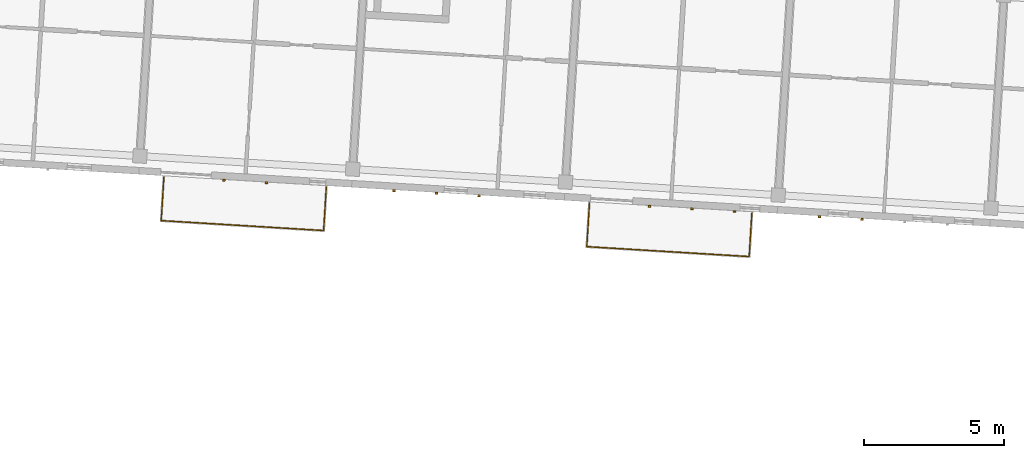
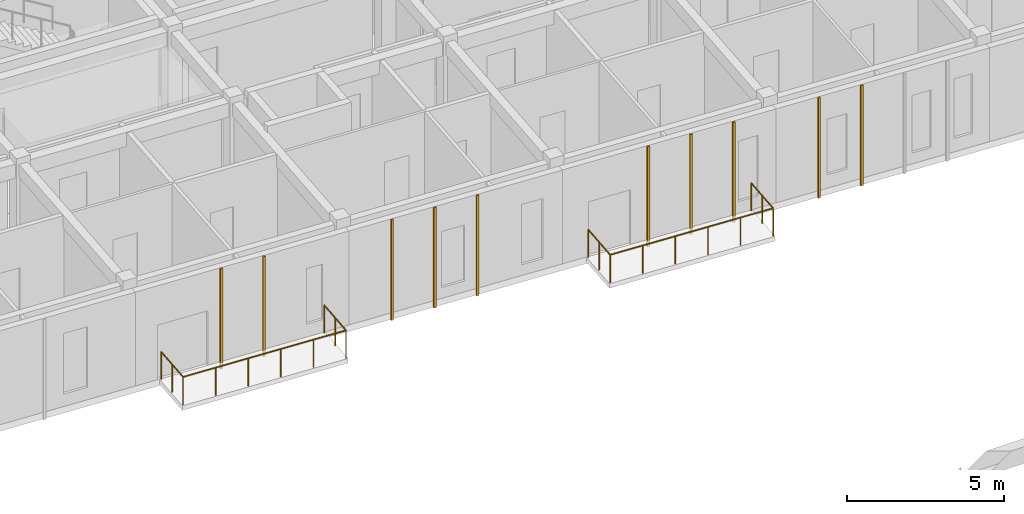
# One storey, part 115 of 150: 10 coverings, 2 railings.
"""IFC4 building model written with IfcOpenShell, lengths in metres."""

from ifc_helpers import new_model, si_unit, direction, frame, origin, origin_2d, place, context, subcontext, project, spatial, rectangle, circle, extrude, material, layer, layer_set, type_object, element, save


model = new_model("IFC4")

# Units and contexts
model_context = context("Model", 3, precision=1e-05, world=origin(), true_north=direction((0.0, 1.0)))
body_context = subcontext(model_context, "Body", "Model", "MODEL_VIEW")
ifc_project = project(units=[si_unit("LENGTHUNIT", "METRE"), si_unit("AREAUNIT", "SQUARE_METRE"), si_unit("VOLUMEUNIT", "CUBIC_METRE"), si_unit("PLANEANGLEUNIT", "RADIAN"), si_unit("MASSUNIT", "GRAM", prefix="KILO")], contexts=[model_context])

# Site, building, storey
site_placement = place(None, origin())
site = spatial("IfcSite", under=ifc_project, at=site_placement, CompositionType="ELEMENT")
building_placement = place(site_placement, origin())
building = spatial("IfcBuilding", under=site, at=building_placement, Name="Kestramere Prow Commons", CompositionType="ELEMENT")
storey_placement = place(building_placement, frame((0.0, 0.0, 4.5)))
storey = spatial("IfcBuildingStorey", under=building, at=storey_placement, Name="L01", CompositionType="ELEMENT", Elevation=4.5)

# Coverings
ifc_material_1 = material(Name="Weathered Zinc-Titanium Standing-Seam Cladding")
ifc_layer = layer(ifc_material_1, 0.074951171875)
ifc_layer_set = layer_set([ifc_layer], Name="Weathered Zinc-Titanium Standing-Seam Cladding")
covering_type = type_object("IfcCoveringType", Name="COV-CLAD-SEAM", PredefinedType="CLADDING", material=ifc_layer_set)
for number, where, z_axis, x_axis, name in (
    (1, (71.595947265625, 45.081298828125, -0.25), (0.0, 0.0, 1.0), (-0.998134798422, 0.061048539535, 0.0), "EW-C-L01-S-1 Standing-Seam Rib 2"),
    (2, (70.078857421875, 45.17431640625, -0.25), (0.0, 0.0, 1.0), (-0.998134798422, 0.061048539535, 0.0), "EW-C-L01-S-1 Standing-Seam Rib 3"),
    (3, (79.181884765625, 44.617431640625, -0.25), (0.0, 0.0, 1.0), (-0.998134798422, 0.061048539535, 0.0), "EW-C-L01-S-2 Standing-Seam Rib 2"),
    (4, (77.66455078125, 44.710205078125, -0.25), (0.0, 0.0, 1.0), (-0.998134798422, 0.061048539535, 0.0), "EW-C-L01-S-2 Standing-Seam Rib 3"),
    (5, (76.1474609375, 44.802978515625, -0.25), (0.0, 0.0, 1.0), (-0.998134798422, 0.061048539535, 0.0), "EW-C-L01-S-2 Standing-Seam Rib 4"),
    (6, (88.28466796875, 44.060791015625, -0.25), (0.0, 0.0, 1.0), (-0.998134798422, 0.061048539535, 0.0), "EW-C-L01-S-3 Standing-Seam Rib 1"),
    (7, (86.767578125, 44.153564453125, -0.25), (0.0, 0.0, 1.0), (-0.998134798422, 0.061048539535, 0.0), "EW-C-L01-S-3 Standing-Seam Rib 2"),
    (8, (85.25048828125, 44.246337890625, -0.25), (0.0, 0.0, 1.0), (-0.998134798422, 0.061048539535, 0.0), "EW-C-L01-S-3 Standing-Seam Rib 3"),
    (9, (92.836181640625, 43.7822265625, -0.25), (0.0, 0.0, 1.0), (-0.998134798422, 0.061048539535, 0.0), "EW-C-L01-S-4 Standing-Seam Rib 3"),
    (10, (91.319091796875, 43.875, -0.25), (0.0, 0.0, 1.0), (-0.998134798422, 0.061048539535, 0.0), "EW-C-L01-S-4 Standing-Seam Rib 4"),
):
    element("IfcCovering", number, at=place(storey_placement, frame(where, z_axis=z_axis, x_axis=x_axis)), inside=storey, type_object=covering_type, Name=name, PredefinedType="CLADDING", context=body_context, shape_type="SweptSolid", body=[
        extrude(rectangle(XDim=0.0849609375, YDim=0.06494140625, at=origin_2d()), origin(), (0.0, 0.0, 1.0), 3.89990234375),
    ])

# Railings
ifc_material_2 = material(Name="Powder-Coated Aluminium 6063-T6", Category="aluminium")
railing_type = type_object("IfcRailingType", Name="GRD-BALC-1100", PredefinedType="BALUSTRADE", material=ifc_material_2)
railing_1_placement = place(storey_placement, frame((67.942138671875, 45.29248046875, 0.0)))
element("IfcRailing", 11, at=railing_1_placement, inside=storey, type_object=railing_type, Name="Block C L01 Balcony Guardrail 2", PredefinedType="BALUSTRADE", context=body_context, shape_type="SweptSolid", body=[
    extrude(circle(Radius=0.02392578125, at=origin_2d()), frame((0.0, 0.0, 1.076171875), z_axis=(-0.061189609383, -0.998126160214, 0.0), x_axis=(0.998126160214, -0.061189609383, 0.0)), (0.0, 0.0, 1.0), 1.56005859375),
    extrude(circle(Radius=0.02392578125, at=origin_2d()), frame((-0.095458984375, -1.55712890625, 1.076171875), z_axis=(0.998133128857, -0.061075830556, 0.0), x_axis=(0.061075830556, 0.998133128857, 0.0)), (0.0, 0.0, 1.0), 5.800048828125),
    extrude(circle(Radius=0.02392578125, at=origin_2d()), frame((5.69384765625, -1.911376953125, 1.076171875), z_axis=(0.061033697925, 0.998135706063, 0.0), x_axis=(-0.998135706063, 0.061033697925, 0.0)), (0.0, 0.0, 1.0), 1.56005859375),
    extrude(circle(Radius=0.02099609375, at=origin_2d()), origin(), (0.0, 0.0, 1.0), 1.052001953125),
    extrude(circle(Radius=0.02099609375, at=origin_2d()), frame((-0.0478515625, -0.778564453125, 0.0)), (0.0, 0.0, 1.0), 1.052001953125),
    extrude(circle(Radius=0.02099609375, at=origin_2d()), frame((-0.095458984375, -1.55712890625, 0.0)), (0.0, 0.0, 1.0), 1.052001953125),
    extrude(circle(Radius=0.02099609375, at=origin_2d()), frame((1.0625, -1.6279296875, 0.0)), (0.0, 0.0, 1.0), 1.052001953125),
    extrude(circle(Radius=0.02099609375, at=origin_2d()), frame((2.22021484375, -1.69873046875, 0.0)), (0.0, 0.0, 1.0), 1.052001953125),
    extrude(circle(Radius=0.02099609375, at=origin_2d()), frame((3.378173828125, -1.769775390625, 0.0)), (0.0, 0.0, 1.0), 1.052001953125),
    extrude(circle(Radius=0.02099609375, at=origin_2d()), frame((4.535888671875, -1.840576171875, 0.0)), (0.0, 0.0, 1.0), 1.052001953125),
    extrude(circle(Radius=0.02099609375, at=origin_2d()), frame((5.69384765625, -1.911376953125, 0.0)), (0.0, 0.0, 1.0), 1.052001953125),
    extrude(circle(Radius=0.02099609375, at=origin_2d()), frame((5.741455078125, -1.1328125, 0.0)), (0.0, 0.0, 1.0), 1.052001953125),
    extrude(circle(Radius=0.02099609375, at=origin_2d()), frame((5.7890625, -0.354248046875, 0.0)), (0.0, 0.0, 1.0), 1.052001953125),
])
railing_2_placement = place(storey_placement, frame((83.11376953125, 44.364501953125, 0.0)))
element("IfcRailing", 12, at=railing_2_placement, inside=storey, type_object=railing_type, Name="Block C L01 Balcony Guardrail 4", PredefinedType="BALUSTRADE", context=body_context, shape_type="SweptSolid", body=[
    extrude(circle(Radius=0.02392578125, at=origin_2d()), frame((0.0, 0.0, 1.076171875), z_axis=(-0.061033697925, -0.998135706063, 0.0), x_axis=(0.998135706063, -0.061033697925, 0.0)), (0.0, 0.0, 1.0), 1.56005859375),
    extrude(circle(Radius=0.02392578125, at=origin_2d()), frame((-0.09521484375, -1.55712890625, 1.076171875), z_axis=(0.998135537192, -0.061036459553, 0.0), x_axis=(0.061036459553, 0.998135537192, 0.0)), (0.0, 0.0, 1.0), 5.7998046875),
    extrude(circle(Radius=0.02392578125, at=origin_2d()), frame((5.69384765625, -1.9111328125, 1.076171875), z_axis=(0.061043233175, 0.998135122959, 0.0), x_axis=(-0.998135122959, 0.061043233175, 0.0)), (0.0, 0.0, 1.0), 1.559814453125),
    extrude(circle(Radius=0.02099609375, at=origin_2d()), origin(), (0.0, 0.0, 1.0), 1.052001953125),
    extrude(circle(Radius=0.02099609375, at=origin_2d()), frame((-0.047607421875, -0.778564453125, 0.0)), (0.0, 0.0, 1.0), 1.052001953125),
    extrude(circle(Radius=0.02099609375, at=origin_2d()), frame((-0.09521484375, -1.55712890625, 0.0)), (0.0, 0.0, 1.0), 1.052001953125),
    extrude(circle(Radius=0.02099609375, at=origin_2d()), frame((1.0625, -1.6279296875, 0.0)), (0.0, 0.0, 1.0), 1.052001953125),
    extrude(circle(Radius=0.02099609375, at=origin_2d()), frame((2.220458984375, -1.69873046875, 0.0)), (0.0, 0.0, 1.0), 1.052001953125),
    extrude(circle(Radius=0.02099609375, at=origin_2d()), frame((3.378173828125, -1.76953125, 0.0)), (0.0, 0.0, 1.0), 1.052001953125),
    extrude(circle(Radius=0.02099609375, at=origin_2d()), frame((4.5361328125, -1.84033203125, 0.0)), (0.0, 0.0, 1.0), 1.052001953125),
    extrude(circle(Radius=0.02099609375, at=origin_2d()), frame((5.69384765625, -1.9111328125, 0.0)), (0.0, 0.0, 1.0), 1.052001953125),
    extrude(circle(Radius=0.02099609375, at=origin_2d()), frame((5.741455078125, -1.1328125, 0.0)), (0.0, 0.0, 1.0), 1.052001953125),
    extrude(circle(Radius=0.02099609375, at=origin_2d()), frame((5.7890625, -0.354248046875, 0.0)), (0.0, 0.0, 1.0), 1.052001953125),
])

save(model, "model.ifc")
